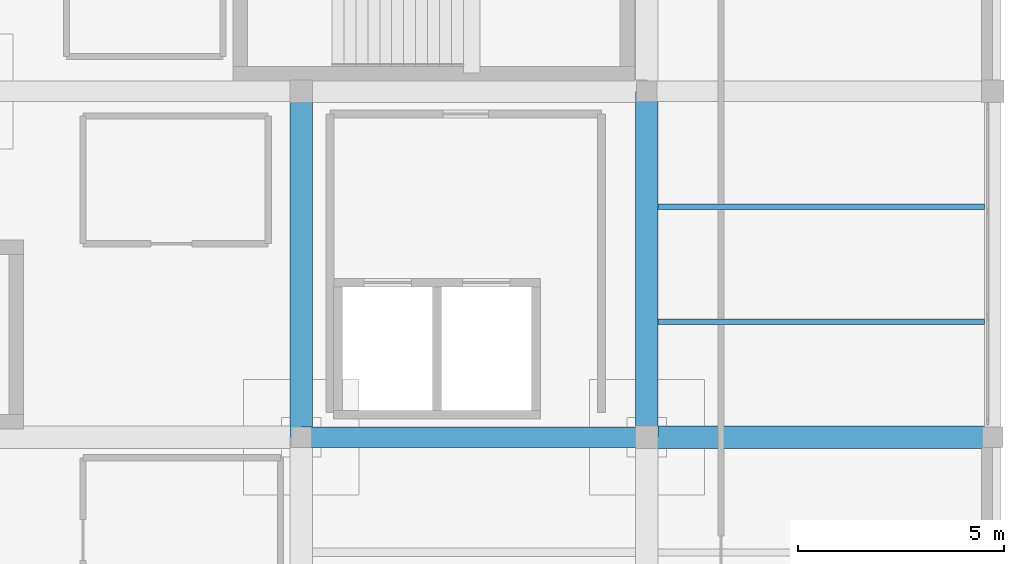
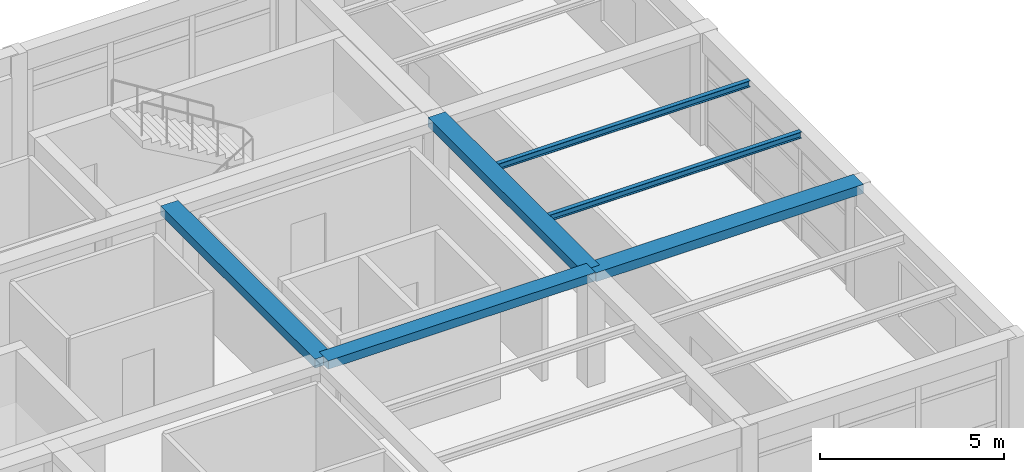
# One storey, part 8 of 20: 6 beams.
"""IFC4 building model written with IfcOpenShell, lengths in metres."""

from ifc_helpers import new_model, si_unit, direction, frame, origin, origin_2d, place, context, subcontext, project, spatial, rectangle, i_section, extrude, material, material_profile, profile_set, type_object, element, save


model = new_model("IFC4")

# Units and contexts
model_context = context("Model", 3, precision=1e-05, world=origin(), true_north=direction((0.0, 1.0)))
body_context = subcontext(model_context, "Body", "Model", "MODEL_VIEW")
ifc_project = project(units=[si_unit("LENGTHUNIT", "METRE"), si_unit("AREAUNIT", "SQUARE_METRE"), si_unit("VOLUMEUNIT", "CUBIC_METRE"), si_unit("PLANEANGLEUNIT", "RADIAN"), si_unit("MASSUNIT", "GRAM", prefix="KILO")], contexts=[model_context])

# Site, building, storey
site_placement = place(None, origin())
site = spatial("IfcSite", under=ifc_project, at=site_placement, CompositionType="ELEMENT")
building_placement = place(site_placement, origin())
building = spatial("IfcBuilding", under=site, at=building_placement, Name="Almacenes y Pasaje Nevantli", CompositionType="ELEMENT")
storey_placement = place(building_placement, frame((0.0, 0.0, 62.699951171875)))
storey = spatial("IfcBuildingStorey", under=building, at=storey_placement, Name="L15", CompositionType="ELEMENT", Elevation=62.699951171875)

# Beams
ifc_material_1 = material(Name="Concrete C35/45", Category="concrete")
ifc_material_profile_1 = material_profile(ifc_material_1, rectangle(XDim=0.5, YDim=0.280029296875, at=origin_2d()), Name="RC-BM-500x280")
ifc_profile_set_1 = profile_set([ifc_material_profile_1], Name="Concrete C35/45")
beam_type_1 = type_object("IfcBeamType", Name="BM-RC-500x280", PredefinedType="BEAM", material=ifc_profile_set_1)
beam_placement = place(storey_placement, frame((134.39990234375, 75.60009765625, 3.580078125), z_axis=(1.0, 0.0, 0.0), x_axis=(0.0, 1.0, 0.0)))
element("IfcBeam", 1, at=beam_placement, inside=storey, type_object=beam_type_1, Name="L15 East-West Reinforced Concrete Beam #4020", PredefinedType="BEAM", context=body_context, shape_type="SweptSolid", body=[
    extrude(rectangle(XDim=0.5, YDim=0.280029296875, at=origin_2d()), origin(), (0.0, 0.0, 1.0), 8.400146484375),
])
ifc_material_2 = material(Name="Concrete C35/45", Category="concrete")
ifc_material_profile_2 = material_profile(ifc_material_2, rectangle(XDim=0.550048828125, YDim=0.300048828125, at=origin_2d()), Name="RC-BM-550x300")
ifc_profile_set_2 = profile_set([ifc_material_profile_2], Name="Concrete C35/45")
beam_type_2 = type_object("IfcBeamType", Name="BM-RC-550x300", PredefinedType="BEAM", material=ifc_profile_set_2)
for number, where, z_axis, x_axis, name in (
    (2, (142.800048828125, 75.60009765625, 3.570068359375), (1.0, 0.0, 0.0), (0.0, 1.0, 0.0), "L15 East-West Reinforced Concrete Beam #4021"),
    (3, (134.39990234375, 75.60009765625, 3.570068359375), (0.0, 1.0, 0.0), (-1.0, 0.0, 0.0), "L15 North-South Reinforced Concrete Beam #4036"),
    (4, (142.800048828125, 75.60009765625, 3.570068359375), (0.0, 1.0, 0.0), (-1.0, 0.0, 0.0), "L15 North-South Reinforced Concrete Beam #4038"),
):
    element("IfcBeam", number, at=place(storey_placement, frame(where, z_axis=z_axis, x_axis=x_axis)), inside=storey, type_object=beam_type_2, Name=name, PredefinedType="BEAM", context=body_context, shape_type="SweptSolid", body=[
        extrude(rectangle(XDim=0.550048828125, YDim=0.300048828125, at=origin_2d()), origin(), (0.0, 0.0, 1.0), 8.39990234375),
    ])
ifc_material_3 = material(Name="Steel ASTM A992", Category="steel")
ifc_material_profile_3 = material_profile(ifc_material_3, i_section(OverallWidth=0.134033203125, OverallDepth=0.2099609375, WebThickness=0.00634765625, FlangeThickness=0.01025390625, at=origin_2d()), Name="IR 203x31.3")
ifc_profile_set_3 = profile_set([ifc_material_profile_3], Name="Steel ASTM A992")
beam_type_3 = type_object("IfcBeamType", Name="BM-STL-IR-203x31p3", PredefinedType="JOIST", material=ifc_profile_set_3)
for number, where, z_axis, x_axis, name in (
    (5, (143.074951171875, 78.39990234375, 3.60693359375), (1.0, 0.0, 0.0), (0.0, 1.0, 0.0), "L15 Secondary Steel Floor Joist #1609"),
    (6, (143.074951171875, 81.199951171875, 3.60693359375), (1.0, 0.0, 0.0), (0.0, 1.0, 0.0), "L15 Secondary Steel Floor Joist #1610"),
):
    element("IfcBeam", number, at=place(storey_placement, frame(where, z_axis=z_axis, x_axis=x_axis)), inside=storey, type_object=beam_type_3, Name=name, PredefinedType="JOIST", context=body_context, shape_type="SweptSolid", body=[
        extrude(i_section(OverallWidth=0.134033203125, OverallDepth=0.2099609375, WebThickness=0.00634765625, FlangeThickness=0.01025390625, at=origin_2d()), origin(), (0.0, 0.0, 1.0), 7.925048828125),
    ])

save(model, "model.ifc")
